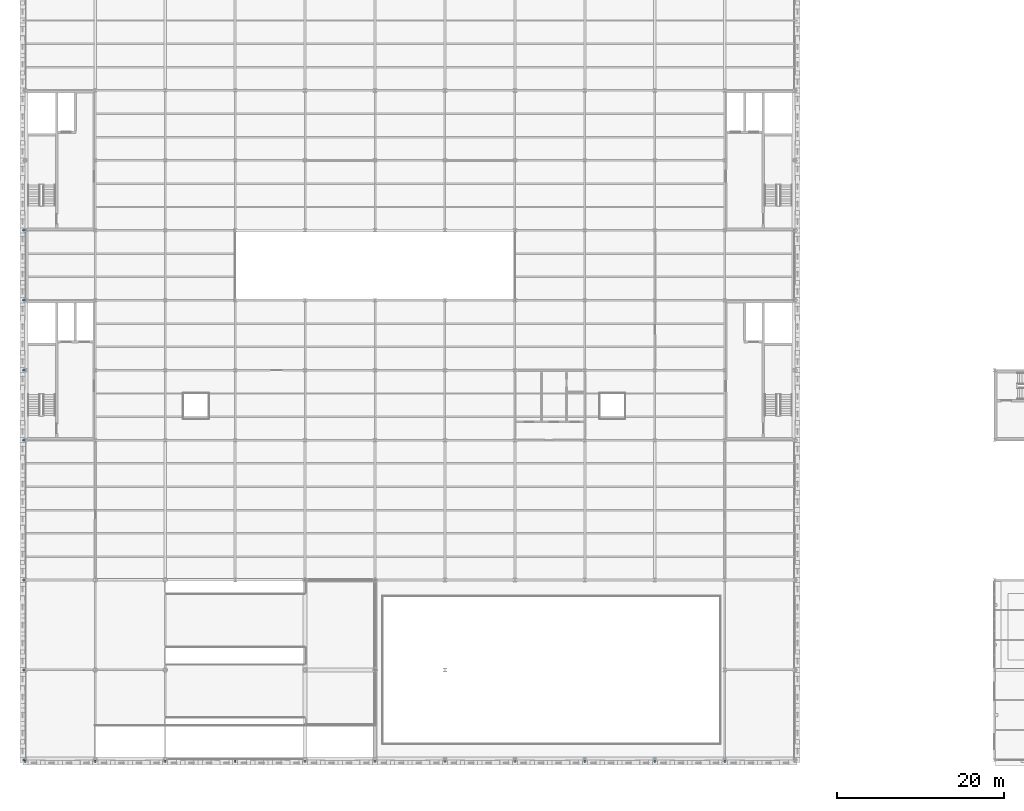
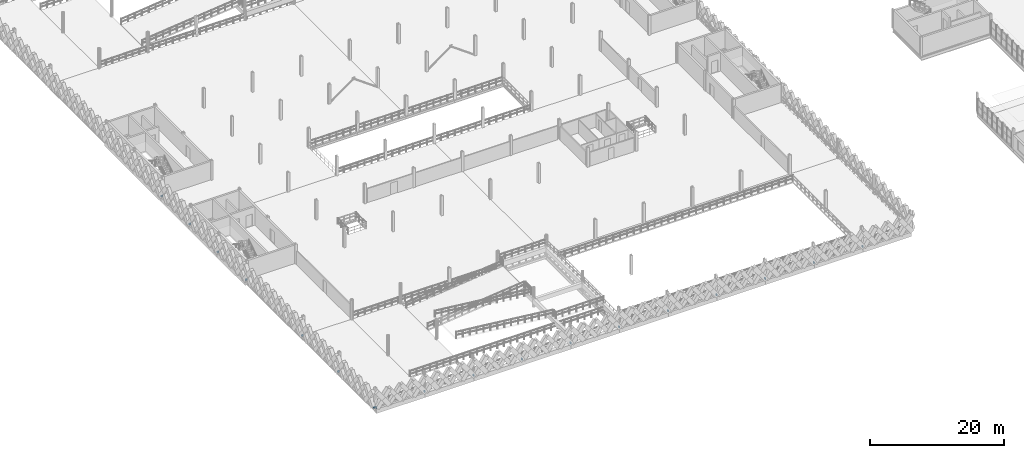
# One storey, part 45 of 79: 18 members.
"""IFC4 building model written with IfcOpenShell, lengths in metres."""

from ifc_helpers import new_model, si_unit, direction, frame, origin, origin_2d, place, context, subcontext, project, spatial, hollow_rectangle, extrude, material, material_profile, profile_set, type_object, element, save


model = new_model("IFC4")

# Units and contexts
model_context = context("Model", 3, precision=1e-05, world=origin(), true_north=direction((0.0, 1.0)))
body_context = subcontext(model_context, "Body", "Model", "MODEL_VIEW")
ifc_project = project(units=[si_unit("LENGTHUNIT", "METRE"), si_unit("AREAUNIT", "SQUARE_METRE"), si_unit("VOLUMEUNIT", "CUBIC_METRE"), si_unit("PLANEANGLEUNIT", "RADIAN"), si_unit("MASSUNIT", "GRAM", prefix="KILO"), si_unit("THERMODYNAMICTEMPERATUREUNIT", "KELVIN"), si_unit("POWERUNIT", "WATT")], contexts=[model_context])

# Site, building, storey
site_placement = place(None, origin())
site = spatial("IfcSite", under=ifc_project, at=site_placement, CompositionType="ELEMENT")
building_placement = place(site_placement, origin())
building = spatial("IfcBuilding", under=site, at=building_placement, Name="Tembeka Court Mobility Hub", CompositionType="ELEMENT")
storey_placement = place(building_placement, frame((0.0, 0.0, 9.0)))
storey = spatial("IfcBuildingStorey", under=building, at=storey_placement, Name="L02", CompositionType="ELEMENT", Elevation=9.0)

# Members
ifc_material = material(Name="Steel S355", Category="steel")
ifc_material_profile = material_profile(ifc_material, hollow_rectangle(XDim=0.14990234375, YDim=0.300048828125, WallThickness=0.010009765625, at=origin_2d()), Name="RHS 300x150x10")
ifc_profile_set = profile_set([ifc_material_profile], Name="Steel S355")
member_type = type_object("IfcMemberType", Name="MEM-ST03", PredefinedType="STRUT", material=ifc_profile_set)
for number, where, z_axis, x_axis, name in (
    (1, (0.0, 0.0, 0.02001953125), (0.0, -1.0, 0.0), (1.0, 0.0, 0.0), "Lattice outrigger tie SR03 (L02-Y-0)"),
    (2, (8.39990234375, 0.0, 0.02001953125), (0.0, -1.0, 0.0), (1.0, 0.0, 0.0), "Lattice outrigger tie SR03 (L02-Y-8)"),
    (3, (16.800048828125, 0.0, 0.02001953125), (0.0, -1.0, 0.0), (1.0, 0.0, 0.0), "Lattice outrigger tie SR03 (L02-Y-16)"),
    (4, (25.199951171875, 0.0, 0.02001953125), (0.0, -1.0, 0.0), (1.0, 0.0, 0.0), "Lattice outrigger tie SR03 (L02-Y-25)"),
    (5, (33.60009765625, 0.0, 0.02001953125), (0.0, -1.0, 0.0), (1.0, 0.0, 0.0), "Lattice outrigger tie SR03 (L02-Y-33)"),
    (6, (42.0, 0.0, 0.02001953125), (0.0, -1.0, 0.0), (1.0, 0.0, 0.0), "Lattice outrigger tie SR03 (L02-Y-42)"),
    (7, (50.39990234375, 0.0, 0.02001953125), (0.0, -1.0, 0.0), (1.0, 0.0, 0.0), "Lattice outrigger tie SR03 (L02-Y-50)"),
    (8, (58.800048828125, 0.0, 0.02001953125), (0.0, -1.0, 0.0), (1.0, 0.0, 0.0), "Lattice outrigger tie SR03 (L02-Y-58)"),
    (9, (67.199951171875, 0.0, 0.02001953125), (0.0, -1.0, 0.0), (1.0, 0.0, 0.0), "Lattice outrigger tie SR03 (L02-Y-67)"),
    (10, (75.60009765625, 0.0, 0.02001953125), (0.0, -1.0, 0.0), (1.0, 0.0, 0.0), "Lattice outrigger tie SR03 (L02-Y-75)"),
    (11, (84.0, 0.0, 0.02001953125), (0.0, -1.0, 0.0), (1.0, 0.0, 0.0), "Lattice outrigger tie SR03 (L02-Y-84)"),
    (12, (0.0, 0.0, 0.02001953125), (-1.0, 0.0, 0.0), (0.0, -1.0, 0.0), "Lattice outrigger tie SR03 (L02-X-0)"),
    (13, (0.0, 10.800048828125, 0.02001953125), (-1.0, 0.0, 0.0), (0.0, -1.0, 0.0), "Lattice outrigger tie SR03 (L02-X-10)"),
    (14, (0.0, 21.60009765625, 0.02001953125), (-1.0, 0.0, 0.0), (0.0, -1.0, 0.0), "Lattice outrigger tie SR03 (L02-X-21)"),
    (15, (0.0, 38.39990234375, 0.02001953125), (-1.0, 0.0, 0.0), (0.0, -1.0, 0.0), "Lattice outrigger tie SR03 (L02-X-38)"),
    (16, (0.0, 46.800048828125, 0.02001953125), (-1.0, 0.0, 0.0), (0.0, -1.0, 0.0), "Lattice outrigger tie SR03 (L02-X-46)"),
    (17, (0.0, 55.199951171875, 0.02001953125), (-1.0, 0.0, 0.0), (0.0, -1.0, 0.0), "Lattice outrigger tie SR03 (L02-X-55)"),
    (18, (0.0, 63.60009765625, 0.02001953125), (-1.0, 0.0, 0.0), (0.0, -1.0, 0.0), "Lattice outrigger tie SR03 (L02-X-63)"),
):
    element("IfcMember", number, at=place(storey_placement, frame(where, z_axis=z_axis, x_axis=x_axis)), inside=storey, type_object=member_type, Name=name, PredefinedType="STRUT", context=body_context, shape_type="SweptSolid", body=[
        extrude(hollow_rectangle(XDim=0.14990234375, YDim=0.300048828125, WallThickness=0.010009765625, at=origin_2d()), origin(), (0.0, 0.0, 1.0), 0.340087890625),
    ])

save(model, "model.ifc")
